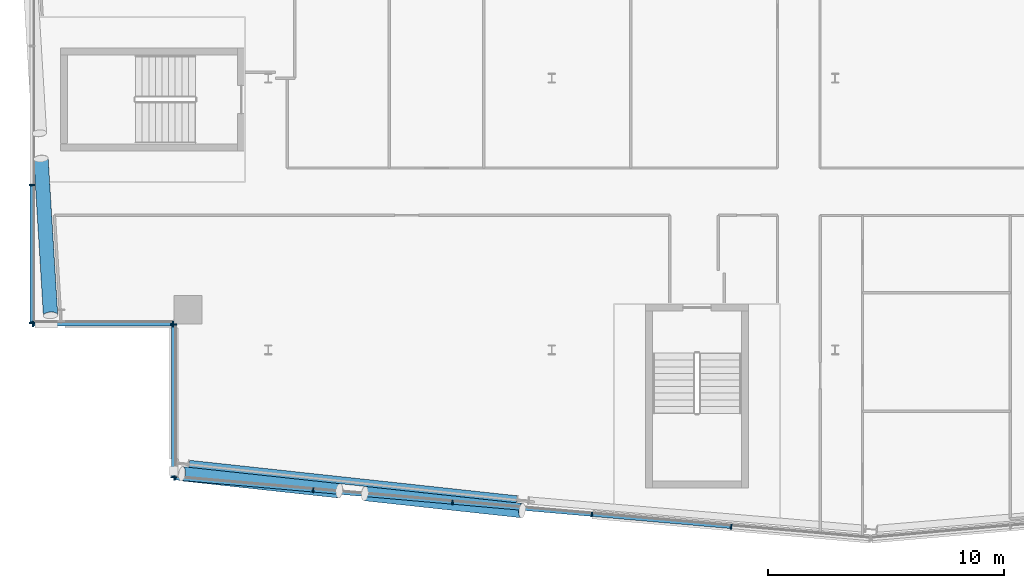
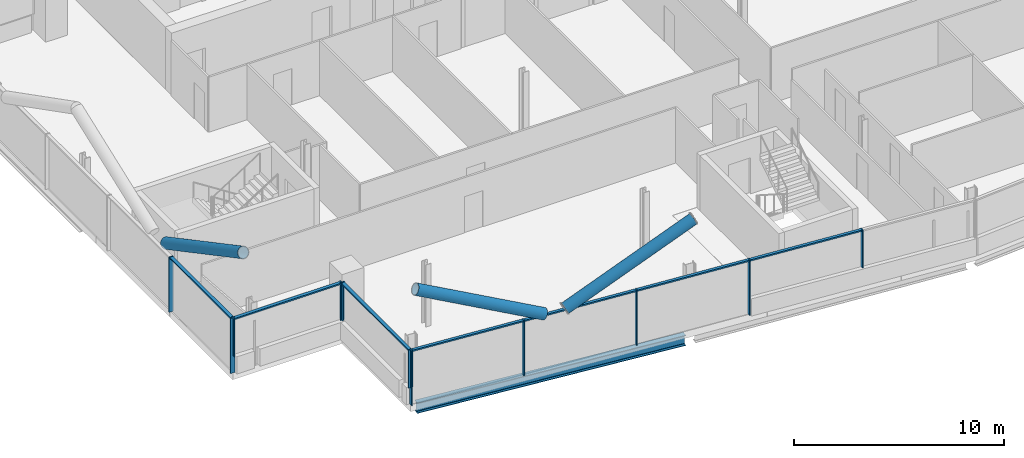
# One storey, part 5 of 26: 21 members, 1 beam, 4 elements without a shape of their own.
"""IFC4 building model written with IfcOpenShell, lengths in metres."""

from ifc_helpers import new_model, si_unit, direction, frame, origin, origin_2d, place, context, subcontext, project, spatial, rectangle, hollow_circle, i_section, extrude, material, material_profile, profile_set, type_object, element, aggregate, save


model = new_model("IFC4")

# Units and contexts
model_context = context("Model", 3, precision=1e-05, world=origin(), true_north=direction((0.0, 1.0)))
body_context = subcontext(model_context, "Body", "Model", "MODEL_VIEW")
ifc_project = project(units=[si_unit("LENGTHUNIT", "METRE"), si_unit("AREAUNIT", "SQUARE_METRE"), si_unit("VOLUMEUNIT", "CUBIC_METRE"), si_unit("PLANEANGLEUNIT", "RADIAN"), si_unit("MASSUNIT", "GRAM", prefix="KILO")], contexts=[model_context])

# Site, building, storey
site_placement = place(None, origin())
site = spatial("IfcSite", under=ifc_project, at=site_placement, CompositionType="ELEMENT")
building_placement = place(site_placement, origin())
building = spatial("IfcBuilding", under=site, at=building_placement, Name="Wharfspan Tower", CompositionType="ELEMENT")
storey_placement = place(building_placement, frame((0.0, 0.0, 214.300049)))
storey = spatial("IfcBuildingStorey", under=building, at=storey_placement, Name="L53", CompositionType="ELEMENT", Elevation=214.300049)

# Beam
ifc_material_1 = material(Name="Steel S355J2", Category="steel")
ifc_material_profile_1 = material_profile(ifc_material_1, i_section(OverallWidth=0.300049, OverallDepth=0.600098, WebThickness=0.015381, FlangeThickness=0.030029, FilletRadius=0.0271, at=origin_2d()))
ifc_profile_set_1 = profile_set([ifc_material_profile_1], Name="Steel S355J2")
beam_type = type_object("IfcBeamType", Name="Edge beam HEB 600", PredefinedType="SPANDREL", material=ifc_profile_set_1)
beam_placement = place(storey_placement, frame((20.648682, 6.674805, -0.699951), z_axis=(0.99418, -0.107732, 0.0), x_axis=(0.107732, 0.99418, 0.0)))
element("IfcBeam", 1, at=beam_placement, inside=storey, type_object=beam_type, Name="Edge beam S1 L53 PS1.1 to PS1.2", PredefinedType="SPANDREL", context=body_context, shape_type="SweptSolid", body=[
    extrude(i_section(OverallWidth=0.300049, OverallDepth=0.600098, WebThickness=0.015381, FlangeThickness=0.030029, FilletRadius=0.0271, at=origin_2d()), origin(), (0.0, 0.0, 1.0), 13.95752),
])

# Curtain wall, members
ifc_material_2 = material(Name="Aluminium 6063-T6", Category="aluminium")
curtain_wall_type_1 = type_object("IfcCurtainWallType", Name="CURTAIN WALL FACETED FRONT", PredefinedType="NOTDEFINED", material=ifc_material_2)
curtain_wall_1_placement = place(storey_placement, origin())
curtain_wall_1 = element("IfcCurtainWall", 2, at=curtain_wall_1_placement, inside=storey, type_object=curtain_wall_type_1, Name="Curtain wall S1", PredefinedType="NOTDEFINED")
ifc_material_profile_2 = material_profile(ifc_material_2, rectangle(XDim=0.199951, YDim=0.060059, at=origin_2d()))
ifc_profile_set_2 = profile_set([ifc_material_profile_2], Name="Aluminium 6063-T6")
member_type_1 = type_object("IfcMemberType", Name="MULLION FACETED FRONT 60x200", PredefinedType="MULLION", material=ifc_profile_set_2)
member_1_placement = place(storey_placement, frame((20.029785, 6.07251, 0.0), z_axis=(0.0, 0.0, 1.0), x_axis=(0.087156, 0.996197, 0.0)))
member_1 = element("IfcMember", 3, at=member_1_placement, type_object=member_type_1, Name="Curtain wall S1 mullion 1", PredefinedType="MULLION", context=body_context, shape_type="SweptSolid", body=[
    extrude(rectangle(XDim=0.199951, YDim=0.060059, at=origin_2d()), origin(), (0.0, 0.0, 1.0), 3.199951),
])
member_2_placement = place(storey_placement, frame((25.899902, 5.558838, 0.0), z_axis=(0.0, 0.0, 1.0), x_axis=(0.087156, 0.996197, 0.0)))
member_2 = element("IfcMember", 4, at=member_2_placement, type_object=member_type_1, Name="Curtain wall S1 mullion 2", PredefinedType="MULLION", context=body_context, shape_type="SweptSolid", body=[
    extrude(rectangle(XDim=0.199951, YDim=0.060059, at=origin_2d()), origin(), (0.0, 0.0, 1.0), 3.199951),
])
member_3_placement = place(storey_placement, frame((31.800049, 5.042725, 0.0), z_axis=(0.0, 0.0, 1.0), x_axis=(0.087156, 0.996197, 0.0)))
member_3 = element("IfcMember", 5, at=member_3_placement, type_object=member_type_1, Name="Curtain wall S1 mullion 3", PredefinedType="MULLION", context=body_context, shape_type="SweptSolid", body=[
    extrude(rectangle(XDim=0.199951, YDim=0.060059, at=origin_2d()), origin(), (0.0, 0.0, 1.0), 3.199951),
])
member_4_placement = place(storey_placement, frame((37.699951, 4.526611, 0.0), z_axis=(0.0, 0.0, 1.0), x_axis=(0.087156, 0.996197, 0.0)))
member_4 = element("IfcMember", 6, at=member_4_placement, type_object=member_type_1, Name="Curtain wall S1 mullion 4", PredefinedType="MULLION", context=body_context, shape_type="SweptSolid", body=[
    extrude(rectangle(XDim=0.199951, YDim=0.060059, at=origin_2d()), origin(), (0.0, 0.0, 1.0), 3.199951),
])
member_5_placement = place(storey_placement, frame((43.600098, 4.010254, 1.0), z_axis=(0.0, 0.0, 1.0), x_axis=(0.087156, 0.996197, 0.0)))
member_5 = element("IfcMember", 7, at=member_5_placement, type_object=member_type_1, Name="Curtain wall S1 mullion 5", PredefinedType="MULLION", context=body_context, shape_type="SweptSolid", body=[
    extrude(rectangle(XDim=0.199951, YDim=0.060059, at=origin_2d()), origin(), (0.0, 0.0, 1.0), 2.199951),
])

curtain_wall_type_2 = type_object("IfcCurtainWallType", Name="CURTAIN WALL PROW AND END", PredefinedType="NOTDEFINED", material=ifc_material_2)
curtain_wall_2_placement = place(storey_placement, origin())
curtain_wall_2 = element("IfcCurtainWall", 8, at=curtain_wall_2_placement, inside=storey, type_object=curtain_wall_type_2, Name="Curtain wall W", PredefinedType="NOTDEFINED")
ifc_material_profile_3 = material_profile(ifc_material_2, rectangle(XDim=0.23999, YDim=0.060059, at=origin_2d()))
ifc_profile_set_3 = profile_set([ifc_material_profile_3], Name="Aluminium 6063-T6")
member_type_2 = type_object("IfcMemberType", Name="MULLION PROW AND END 60x240", PredefinedType="MULLION", material=ifc_profile_set_3)
member_6_placement = place(storey_placement, frame((14.0, 18.47998, 0.0), z_axis=(0.0, 0.0, 1.0), x_axis=(1.0, 0.0, 0.0)))
member_6 = element("IfcMember", 9, at=member_6_placement, type_object=member_type_2, Name="Curtain wall W mullion 5", PredefinedType="MULLION", context=body_context, shape_type="SweptSolid", body=[
    extrude(rectangle(XDim=0.23999, YDim=0.060059, at=origin_2d()), origin(), (0.0, 0.0, 1.0), 3.199951),
])
member_7_placement = place(storey_placement, frame((14.0, 12.629883, 0.0), z_axis=(0.0, 0.0, 1.0), x_axis=(1.0, 0.0, 0.0)))
member_7 = element("IfcMember", 10, at=member_7_placement, type_object=member_type_2, Name="Curtain wall W mullion 6", PredefinedType="MULLION", context=body_context, shape_type="SweptSolid", body=[
    extrude(rectangle(XDim=0.23999, YDim=0.060059, at=origin_2d()), origin(), (0.0, 0.0, 1.0), 3.199951),
])

curtain_wall_3_placement = place(storey_placement, origin())
curtain_wall_3 = element("IfcCurtainWall", 11, at=curtain_wall_3_placement, inside=storey, type_object=curtain_wall_type_2, Name="Curtain wall NFW-H", PredefinedType="NOTDEFINED")
member_8_placement = place(storey_placement, frame((14.030029, 12.600098, 1.0), z_axis=(0.0, 0.0, 1.0), x_axis=(0.0, 1.0, 0.0)))
member_8 = element("IfcMember", 12, at=member_8_placement, type_object=member_type_2, Name="Curtain wall NFW-H mullion 1", PredefinedType="MULLION", context=body_context, shape_type="SweptSolid", body=[
    extrude(rectangle(XDim=0.23999, YDim=0.060059, at=origin_2d()), origin(), (0.0, 0.0, 1.0), 2.199951),
])
member_9_placement = place(storey_placement, frame((19.969971, 12.600098, 1.0), z_axis=(0.0, 0.0, 1.0), x_axis=(0.0, 1.0, 0.0)))
member_9 = element("IfcMember", 13, at=member_9_placement, type_object=member_type_2, Name="Curtain wall NFW-H mullion 2", PredefinedType="MULLION", context=body_context, shape_type="SweptSolid", body=[
    extrude(rectangle(XDim=0.23999, YDim=0.060059, at=origin_2d()), origin(), (0.0, 0.0, 1.0), 2.199951),
])

curtain_wall_4_placement = place(storey_placement, origin())
curtain_wall_4 = element("IfcCurtainWall", 14, at=curtain_wall_4_placement, inside=storey, type_object=curtain_wall_type_2, Name="Curtain wall NFW-V", PredefinedType="NOTDEFINED")
member_10_placement = place(storey_placement, frame((20.0, 12.570068, 1.0), z_axis=(0.0, 0.0, 1.0), x_axis=(1.0, 0.0, 0.0)))
member_10 = element("IfcMember", 15, at=member_10_placement, type_object=member_type_2, Name="Curtain wall NFW-V mullion 1", PredefinedType="MULLION", context=body_context, shape_type="SweptSolid", body=[
    extrude(rectangle(XDim=0.23999, YDim=0.060059, at=origin_2d()), origin(), (0.0, 0.0, 1.0), 2.199951),
])
member_11_placement = place(storey_placement, frame((20.0, 6.10498, 1.0), z_axis=(0.0, 0.0, 1.0), x_axis=(1.0, 0.0, 0.0)))
member_11 = element("IfcMember", 16, at=member_11_placement, type_object=member_type_2, Name="Curtain wall NFW-V mullion 2", PredefinedType="MULLION", context=body_context, shape_type="SweptSolid", body=[
    extrude(rectangle(XDim=0.23999, YDim=0.060059, at=origin_2d()), origin(), (0.0, 0.0, 1.0), 2.199951),
])

# Members
ifc_material_3 = material(Name="Steel S460NH", Category="steel")
ifc_material_profile_4 = material_profile(ifc_material_3, hollow_circle(Radius=0.304932, WallThickness=0.024902, at=origin_2d()))
ifc_profile_set_4 = profile_set([ifc_material_profile_4], Name="Steel S460NH")
member_type_3 = type_object("IfcMemberType", Name="Mega brace CHS 610x25", PredefinedType="BRACE", material=ifc_profile_set_4)
for number, where, z_axis, x_axis, name in (
    (17, (28.088867, 5.410889, 3.171143), (0.890126, -0.09646, 0.445389), (0.107737, 0.99418, -2e-06), "Mega brace S1 L53 part 2"),
    (18, (27.005371, 5.52832, 3.171143), (-0.890126, 0.09646, 0.445389), (-0.107737, -0.99418, -2e-06), "Mega brace S1 L53 part 4"),
):
    element("IfcMember", number, at=place(storey_placement, frame(where, z_axis=z_axis, x_axis=x_axis)), inside=storey, type_object=member_type_3, Name=name, PredefinedType="BRACE", context=body_context, shape_type="SweptSolid", body=[
        extrude(hollow_circle(Radius=0.304932, WallThickness=0.024902, at=origin_2d()), origin(), (0.0, 0.0, 1.0), 7.474121),
    ])
member_12_placement = place(storey_placement, frame((14.376953, 19.592773, 3.170654), z_axis=(0.054615, -0.892302, 0.448123), x_axis=(0.998132, 0.061091, -3e-06)))
element("IfcMember", 19, at=member_12_placement, inside=storey, type_object=member_type_3, Name="Mega brace W4 L53 part 2", PredefinedType="BRACE", context=body_context, shape_type="SweptSolid", body=[
    extrude(hollow_circle(Radius=0.304932, WallThickness=0.024902, at=origin_2d()), origin(), (0.0, 0.0, 1.0), 7.429443),
])

# Member
ifc_material_profile_5 = material_profile(ifc_material_2, rectangle(XDim=0.159912, YDim=0.080078, at=origin_2d()))
ifc_profile_set_5 = profile_set([ifc_material_profile_5], Name="Aluminium 6063-T6")
member_type_4 = type_object("IfcMemberType", Name="TRANSOM FACETED FRONT 80x160", PredefinedType="USERDEFINED", material=ifc_profile_set_5)
member_13_placement = place(storey_placement, frame((20.059814, 6.069824, 3.159912), z_axis=(0.996195, -0.08715, 0.0), x_axis=(0.08715, 0.996195, 0.0)))
member_13 = element("IfcMember", 20, at=member_13_placement, type_object=member_type_4, Name="Curtain wall S1 transom 1", ObjectType="TRANSOM", PredefinedType="USERDEFINED", context=body_context, shape_type="SweptSolid", body=[
    extrude(rectangle(XDim=0.159912, YDim=0.080078, at=origin_2d()), origin(), (0.0, 0.0, 1.0), 5.83252),
])

member_14_placement = place(storey_placement, frame((25.929932, 5.556152, 3.159912), z_axis=(0.996198, -0.087122, 0.0), x_axis=(0.087122, 0.996198, 0.0)))
member_14 = element("IfcMember", 21, at=member_14_placement, type_object=member_type_4, Name="Curtain wall S1 transom 2", ObjectType="TRANSOM", PredefinedType="USERDEFINED", context=body_context, shape_type="SweptSolid", body=[
    extrude(rectangle(XDim=0.159912, YDim=0.080078, at=origin_2d()), origin(), (0.0, 0.0, 1.0), 5.862305),
])

member_15_placement = place(storey_placement, frame((31.829834, 5.040039, 3.159912), z_axis=(0.996194, -0.08716, 0.0), x_axis=(0.08716, 0.996194, 0.0)))
member_15 = element("IfcMember", 22, at=member_15_placement, type_object=member_type_4, Name="Curtain wall S1 transom 3", ObjectType="TRANSOM", PredefinedType="USERDEFINED", context=body_context, shape_type="SweptSolid", body=[
    extrude(rectangle(XDim=0.159912, YDim=0.080078, at=origin_2d()), origin(), (0.0, 0.0, 1.0), 5.862549),
])

member_16_placement = place(storey_placement, frame((37.72998, 4.523926, 3.159912), z_axis=(0.996194, -0.087163, 0.0), x_axis=(0.087163, 0.996194, 0.0)))
member_16 = element("IfcMember", 23, at=member_16_placement, type_object=member_type_4, Name="Curtain wall S1 transom 4", ObjectType="TRANSOM", PredefinedType="USERDEFINED", context=body_context, shape_type="SweptSolid", body=[
    extrude(rectangle(XDim=0.159912, YDim=0.080078, at=origin_2d()), origin(), (0.0, 0.0, 1.0), 5.862305),
])

aggregate(curtain_wall_1, [member_1, member_2, member_3, member_4, member_5, member_13, member_14, member_15, member_16])

ifc_material_profile_6 = material_profile(ifc_material_2, rectangle(XDim=0.179932, YDim=0.080078, at=origin_2d()))
ifc_profile_set_6 = profile_set([ifc_material_profile_6], Name="Aluminium 6063-T6")
member_type_5 = type_object("IfcMemberType", Name="TRANSOM PROW AND END 80x180", PredefinedType="USERDEFINED", material=ifc_profile_set_6)
member_17_placement = place(storey_placement, frame((14.0, 18.449951, 3.159912), z_axis=(0.0, -1.0, 0.0), x_axis=(1.0, 0.0, 0.0)))
member_17 = element("IfcMember", 24, at=member_17_placement, type_object=member_type_5, Name="Curtain wall W transom 5", ObjectType="TRANSOM", PredefinedType="USERDEFINED", context=body_context, shape_type="SweptSolid", body=[
    extrude(rectangle(XDim=0.179932, YDim=0.080078, at=origin_2d()), origin(), (0.0, 0.0, 1.0), 5.790039),
])

aggregate(curtain_wall_2, [member_6, member_7, member_17])

member_18_placement = place(storey_placement, frame((14.060059, 12.600098, 3.159912), z_axis=(1.0, 0.0, 0.0), x_axis=(0.0, 1.0, 0.0)))
member_18 = element("IfcMember", 25, at=member_18_placement, type_object=member_type_5, Name="Curtain wall NFW-H transom 1", ObjectType="TRANSOM", PredefinedType="USERDEFINED", context=body_context, shape_type="SweptSolid", body=[
    extrude(rectangle(XDim=0.179932, YDim=0.080078, at=origin_2d()), origin(), (0.0, 0.0, 1.0), 5.879883),
])

aggregate(curtain_wall_3, [member_8, member_9, member_18])

member_19_placement = place(storey_placement, frame((20.0, 12.540039, 3.159912), z_axis=(0.0, -1.0, 0.0), x_axis=(1.0, 0.0, 0.0)))
member_19 = element("IfcMember", 26, at=member_19_placement, type_object=member_type_5, Name="Curtain wall NFW-V transom 1", ObjectType="TRANSOM", PredefinedType="USERDEFINED", context=body_context, shape_type="SweptSolid", body=[
    extrude(rectangle(XDim=0.179932, YDim=0.080078, at=origin_2d()), origin(), (0.0, 0.0, 1.0), 6.405029),
])

aggregate(curtain_wall_4, [member_10, member_11, member_19])

save(model, "model.ifc")
